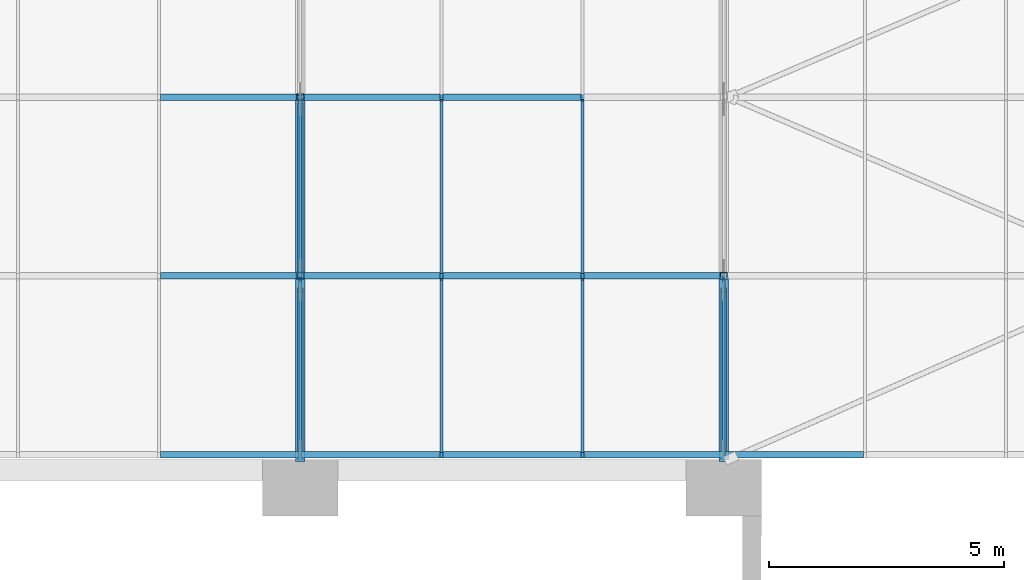
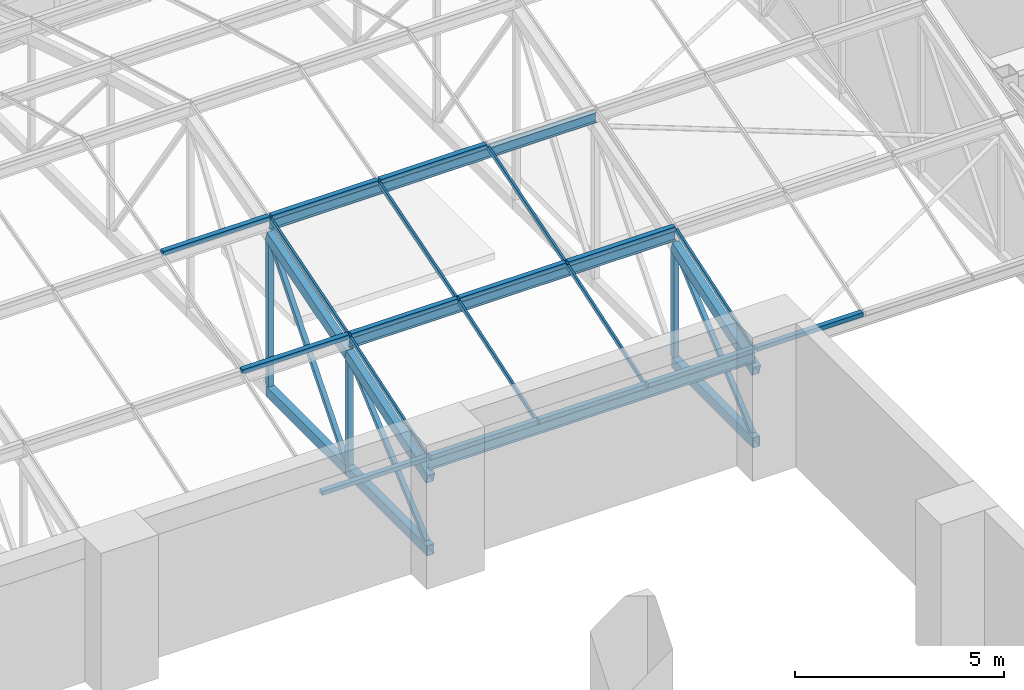
# One storey, part 33 of 82: 34 members, 1 element without a shape of its own.
"""IFC4 building model written with IfcOpenShell, lengths in metres."""

from ifc_helpers import new_model, si_unit, direction, frame, origin, origin_2d, place, context, subcontext, project, spatial, rectangle, hollow_rectangle, i_section, extrude, material, material_profile, profile_set, type_object, element, aggregate, save


model = new_model("IFC4")

# Units and contexts
model_context = context("Model", 3, precision=1e-05, world=origin(), true_north=direction((0.0, 1.0)))
body_context = subcontext(model_context, "Body", "Model", "MODEL_VIEW")
ifc_project = project(units=[si_unit("LENGTHUNIT", "METRE"), si_unit("AREAUNIT", "SQUARE_METRE"), si_unit("VOLUMEUNIT", "CUBIC_METRE"), si_unit("PLANEANGLEUNIT", "RADIAN"), si_unit("MASSUNIT", "GRAM", prefix="KILO")], contexts=[model_context])

# Site, building, storey
site_placement = place(None, origin())
site = spatial("IfcSite", under=ifc_project, at=site_placement, CompositionType="ELEMENT")
building_placement = place(site_placement, origin())
building = spatial("IfcBuilding", under=site, at=building_placement, Name="Aravalli Gate Trade Fair Centre", CompositionType="ELEMENT")
storey_placement = place(building_placement, frame((0.0, 0.0, 19.199951171875)))
storey = spatial("IfcBuildingStorey", under=building, at=storey_placement, Name="L04", CompositionType="ELEMENT", Elevation=19.199951171875)

# Members
ifc_material_1 = material(Name="Steel E350", Category="steel")
ifc_material_profile_1 = material_profile(ifc_material_1, i_section(OverallWidth=0.139892578125, OverallDepth=0.300048828125, WebThickness=0.0078125, FlangeThickness=0.01318359375, at=origin_2d()), Name="ISMB 300")
ifc_profile_set_1 = profile_set([ifc_material_profile_1], Name="Steel E350")
member_type_1 = type_object("IfcMemberType", Name="ISMB 300 roof purlin", PredefinedType="PURLIN", material=ifc_profile_set_1)
for number, where, z_axis, x_axis, name in (
    (1, (141.0, 109.699951171875, 2.60302734375), (1.0, 0.0, 0.0), (0.0, 1.0, 0.0), "Vault purlin 16-17 F0"),
    (2, (141.0, 113.5, 3.851318359375), (1.0, 0.0, 0.0), (0.0, 1.0, 0.0), "Vault purlin 16-17 F1"),
    (3, (141.0, 117.300048828125, 4.999267578125), (1.0, 0.0, 0.0), (0.0, 1.0, 0.0), "Vault purlin 16-17 F2"),
):
    element("IfcMember", number, at=place(storey_placement, frame(where, z_axis=z_axis, x_axis=x_axis)), inside=storey, type_object=member_type_1, Name=name, PredefinedType="PURLIN", context=body_context, shape_type="SweptSolid", body=[
        extrude(i_section(OverallWidth=0.139892578125, OverallDepth=0.300048828125, WebThickness=0.0078125, FlangeThickness=0.01318359375, at=origin_2d()), origin(), (0.0, 0.0, 1.0), 9.0),
    ])
ifc_material_profile_2 = material_profile(ifc_material_1, hollow_rectangle(XDim=0.199951171875, YDim=0.300048828125, WallThickness=0.011962890625, at=origin_2d()), Name="RHS 300x200x12")
ifc_profile_set_2 = profile_set([ifc_material_profile_2], Name="Steel E350")
member_type_2 = type_object("IfcMemberType", Name="RHS 300x200x12 CT1 truss chord", PredefinedType="CHORD", material=ifc_profile_set_2)
member_1_placement = place(storey_placement, frame((141.0, 109.60009765625, 2.2392578125), z_axis=(0.0, 0.949918822061, 0.312496770373), x_axis=(-1.0, 0.0, 0.0)))
element("IfcMember", 4, at=member_1_placement, inside=storey, type_object=member_type_2, Name="Concourse vault truss CT1 line 16 top chord T1", PredefinedType="CHORD", context=body_context, shape_type="SweptSolid", body=[
    extrude(hollow_rectangle(XDim=0.199951171875, YDim=0.300048828125, WallThickness=0.011962890625, at=origin_2d()), origin(), (0.0, 0.0, 1.0), 4.10546875),
])
member_2_placement = place(storey_placement, frame((141.0, 109.60009765625, 0.150146484375), z_axis=(0.0, 1.0, 0.0), x_axis=(-1.0, 0.0, 0.0)))
element("IfcMember", 5, at=member_2_placement, inside=storey, type_object=member_type_2, Name="Concourse vault truss CT1 line 16 bottom chord B1", PredefinedType="CHORD", context=body_context, shape_type="SweptSolid", body=[
    extrude(hollow_rectangle(XDim=0.199951171875, YDim=0.300048828125, WallThickness=0.011962890625, at=origin_2d()), origin(), (0.0, 0.0, 1.0), 3.89990234375),
])
member_3_placement = place(storey_placement, frame((141.0, 113.5, 3.5234375), z_axis=(0.0, 0.957138110877, 0.289631898634), x_axis=(-1.0, 0.0, 0.0)))
element("IfcMember", 6, at=member_3_placement, inside=storey, type_object=member_type_2, Name="Concourse vault truss CT1 line 16 top chord T2", PredefinedType="CHORD", context=body_context, shape_type="SweptSolid", body=[
    extrude(hollow_rectangle(XDim=0.199951171875, YDim=0.300048828125, WallThickness=0.011962890625, at=origin_2d()), origin(), (0.0, 0.0, 1.0), 3.97021484375),
])
member_4_placement = place(storey_placement, frame((141.0, 113.5, 0.150146484375), z_axis=(0.0, 1.0, 0.0), x_axis=(-1.0, 0.0, 0.0)))
element("IfcMember", 7, at=member_4_placement, inside=storey, type_object=member_type_2, Name="Concourse vault truss CT1 line 16 bottom chord B2", PredefinedType="CHORD", context=body_context, shape_type="SweptSolid", body=[
    extrude(hollow_rectangle(XDim=0.199951171875, YDim=0.300048828125, WallThickness=0.011962890625, at=origin_2d()), origin(), (0.0, 0.0, 1.0), 3.800048828125),
])
member_5_placement = place(storey_placement, frame((150.0, 109.60009765625, 2.2392578125), z_axis=(0.0, 0.949918822061, 0.312496770373), x_axis=(-1.0, 0.0, 0.0)))
element("IfcMember", 8, at=member_5_placement, inside=storey, type_object=member_type_2, Name="Concourse vault truss CT1 line 17 top chord T1", PredefinedType="CHORD", context=body_context, shape_type="SweptSolid", body=[
    extrude(hollow_rectangle(XDim=0.199951171875, YDim=0.300048828125, WallThickness=0.011962890625, at=origin_2d()), origin(), (0.0, 0.0, 1.0), 4.10546875),
])
member_6_placement = place(storey_placement, frame((150.0, 109.60009765625, 0.150146484375), z_axis=(0.0, 1.0, 0.0), x_axis=(-1.0, 0.0, 0.0)))
element("IfcMember", 9, at=member_6_placement, inside=storey, type_object=member_type_2, Name="Concourse vault truss CT1 line 17 bottom chord B1", PredefinedType="CHORD", context=body_context, shape_type="SweptSolid", body=[
    extrude(hollow_rectangle(XDim=0.199951171875, YDim=0.300048828125, WallThickness=0.011962890625, at=origin_2d()), origin(), (0.0, 0.0, 1.0), 3.89990234375),
])
ifc_material_profile_3 = material_profile(ifc_material_1, hollow_rectangle(XDim=0.125, YDim=0.125, WallThickness=0.006103515625, at=origin_2d()), Name="SHS 125x125x6")
ifc_profile_set_3 = profile_set([ifc_material_profile_3], Name="Steel E350")
member_type_3 = type_object("IfcMemberType", Name="SHS 125x125x6 CT1 truss diagonal", PredefinedType="BRACE", material=ifc_profile_set_3)
member_7_placement = place(storey_placement, frame((141.0, 109.7734375, 0.300048828125), z_axis=(0.0, 0.756430814482, 0.654073713661), x_axis=(-1.0, 0.0, 0.0)))
element("IfcMember", 10, at=member_7_placement, inside=storey, type_object=member_type_3, Name="Concourse vault truss CT1 line 16 diagonal D1", PredefinedType="BRACE", context=body_context, shape_type="SweptSolid", body=[
    extrude(hollow_rectangle(XDim=0.125, YDim=0.125, WallThickness=0.006103515625, at=origin_2d()), origin(), (0.0, 0.0, 1.0), 4.53662109375),
])
member_8_placement = place(storey_placement, frame((141.0, 113.6259765625, 0.300048828125), z_axis=(0.0, 0.643253159982, 0.765653558845), x_axis=(-1.0, 0.0, 0.0)))
element("IfcMember", 11, at=member_8_placement, inside=storey, type_object=member_type_3, Name="Concourse vault truss CT1 line 16 diagonal D2", PredefinedType="BRACE", context=body_context, shape_type="SweptSolid", body=[
    extrude(hollow_rectangle(XDim=0.125, YDim=0.125, WallThickness=0.006103515625, at=origin_2d()), origin(), (0.0, 0.0, 1.0), 5.437255859375),
])
member_9_placement = place(storey_placement, frame((150.0, 109.7734375, 0.300048828125), z_axis=(0.0, 0.756430814482, 0.654073713661), x_axis=(-1.0, 0.0, 0.0)))
element("IfcMember", 12, at=member_9_placement, inside=storey, type_object=member_type_3, Name="Concourse vault truss CT1 line 17 diagonal D1", PredefinedType="BRACE", context=body_context, shape_type="SweptSolid", body=[
    extrude(hollow_rectangle(XDim=0.125, YDim=0.125, WallThickness=0.006103515625, at=origin_2d()), origin(), (0.0, 0.0, 1.0), 4.53662109375),
])
ifc_material_profile_4 = material_profile(ifc_material_1, hollow_rectangle(XDim=0.14990234375, YDim=0.14990234375, WallThickness=0.006103515625, at=origin_2d()), Name="SHS 150x150x6")
ifc_profile_set_4 = profile_set([ifc_material_profile_4], Name="Steel E350")
member_type_4 = type_object("IfcMemberType", Name="SHS 150x150x6 CT1 truss post", PredefinedType="POST", material=ifc_profile_set_4)
member_10_placement = place(storey_placement, frame((141.0, 113.5, 0.300048828125), z_axis=(0.0, 0.0, 1.0), x_axis=(1.0, 0.0, 0.0)))
element("IfcMember", 13, at=member_10_placement, inside=storey, type_object=member_type_4, Name="Concourse vault truss CT1 line 16 post V1", PredefinedType="POST", context=body_context, shape_type="SweptSolid", body=[
    extrude(hollow_rectangle(XDim=0.14990234375, YDim=0.14990234375, WallThickness=0.006103515625, at=origin_2d()), origin(), (0.0, 0.0, 1.0), 3.064208984375),
])
member_11_placement = place(storey_placement, frame((141.0, 117.300048828125, 0.300048828125), z_axis=(0.0, 0.0, 1.0), x_axis=(1.0, 0.0, 0.0)))
element("IfcMember", 14, at=member_11_placement, inside=storey, type_object=member_type_4, Name="Concourse vault truss CT1 line 16 post V2", PredefinedType="POST", context=body_context, shape_type="SweptSolid", body=[
    extrude(hollow_rectangle(XDim=0.14990234375, YDim=0.14990234375, WallThickness=0.006103515625, at=origin_2d()), origin(), (0.0, 0.0, 1.0), 4.216552734375),
])
member_12_placement = place(storey_placement, frame((150.0, 113.5, 0.300048828125), z_axis=(0.0, 0.0, 1.0), x_axis=(1.0, 0.0, 0.0)))
element("IfcMember", 15, at=member_12_placement, inside=storey, type_object=member_type_4, Name="Concourse vault truss CT1 line 17 post V1", PredefinedType="POST", context=body_context, shape_type="SweptSolid", body=[
    extrude(hollow_rectangle(XDim=0.14990234375, YDim=0.14990234375, WallThickness=0.006103515625, at=origin_2d()), origin(), (0.0, 0.0, 1.0), 3.064208984375),
])
ifc_material_2 = material(Name="Aluminium", Category="aluminium")
ifc_material_profile_5 = material_profile(ifc_material_2, rectangle(XDim=0.139892578125, YDim=0.1201171875, at=origin_2d()), Name="Vault fold cap 140 x 120")
ifc_profile_set_5 = profile_set([ifc_material_profile_5], Name="Aluminium")
member_type_5 = type_object("IfcMemberType", Name="Vault fold cap 140 x 120", PredefinedType="USERDEFINED", material=ifc_profile_set_5)
for number, where, z_axis, x_axis, name in (
    (16, (138.030029296875, 109.699951171875, 2.81298828125), (1.0, 0.0, 0.0), (0.0, 1.0, 0.0), "Vault fold cap e13.0"),
    (17, (138.030029296875, 113.5, 4.061279296875), (1.0, 0.0, 0.0), (0.0, 1.0, 0.0), "Vault fold cap e13.1"),
    (18, (138.030029296875, 117.300048828125, 5.209228515625), (1.0, 0.0, 0.0), (0.0, 1.0, 0.0), "Vault fold cap e13.2"),
    (19, (141.030029296875, 109.699951171875, 2.81298828125), (1.0, 0.0, 0.0), (0.0, 1.0, 0.0), "Vault fold cap e14.0"),
    (20, (141.030029296875, 113.5, 4.061279296875), (1.0, 0.0, 0.0), (0.0, 1.0, 0.0), "Vault fold cap e14.1"),
    (21, (141.030029296875, 117.300048828125, 5.209228515625), (1.0, 0.0, 0.0), (0.0, 1.0, 0.0), "Vault fold cap e14.2"),
    (22, (144.030029296875, 109.699951171875, 2.81298828125), (1.0, 0.0, 0.0), (0.0, 1.0, 0.0), "Vault fold cap e15.0"),
    (23, (144.030029296875, 113.5, 4.061279296875), (1.0, 0.0, 0.0), (0.0, 1.0, 0.0), "Vault fold cap e15.1"),
    (24, (144.030029296875, 117.300048828125, 5.209228515625), (1.0, 0.0, 0.0), (0.0, 1.0, 0.0), "Vault fold cap e15.2"),
    (25, (147.030029296875, 109.699951171875, 2.81298828125), (1.0, 0.0, 0.0), (0.0, 1.0, 0.0), "Vault fold cap e16.0"),
    (26, (147.030029296875, 113.5, 4.061279296875), (1.0, 0.0, 0.0), (0.0, 1.0, 0.0), "Vault fold cap e16.1"),
    (27, (150.030029296875, 109.699951171875, 2.81298828125), (1.0, 0.0, 0.0), (0.0, 1.0, 0.0), "Vault fold cap e17.0"),
):
    element("IfcMember", number, at=place(storey_placement, frame(where, z_axis=z_axis, x_axis=x_axis)), inside=storey, type_object=member_type_5, Name=name, ObjectType="FOLD CAP", PredefinedType="USERDEFINED", context=body_context, shape_type="SweptSolid", body=[
        extrude(rectangle(XDim=0.139892578125, YDim=0.1201171875, at=origin_2d()), origin(), (0.0, 0.0, 1.0), 2.93994140625),
    ])

# Curtain wall, members
ifc_material_3 = material(Name="Aluminium and glass", Category="aluminium")
curtain_wall_type = type_object("IfcCurtainWallType", Name="Vault curtain wall, sloped glazing", PredefinedType="NOTDEFINED", material=ifc_material_3)
curtain_wall_placement = place(storey_placement, origin())
curtain_wall = element("IfcCurtainWall", 28, at=curtain_wall_placement, inside=storey, type_object=curtain_wall_type, Name="Vault curtain wall e", PredefinedType="NOTDEFINED")
ifc_material_profile_6 = material_profile(ifc_material_2, rectangle(XDim=0.06005859375, YDim=0.1201171875, at=origin_2d()), Name="Vault glazing bar 60 x 120")
ifc_profile_set_6 = profile_set([ifc_material_profile_6], Name="Aluminium")
member_type_6 = type_object("IfcMemberType", Name="Vault glazing bar 60 x 120", PredefinedType="USERDEFINED", material=ifc_profile_set_6)
member_13_placement = place(storey_placement, frame((141.0, 109.77001953125, 2.81005859375), z_axis=(0.0, 0.949930492103, 0.31246129388), x_axis=(-1.0, 0.0, 0.0)))
member_13 = element("IfcMember", 29, at=member_13_placement, type_object=member_type_6, Name="Vault glazing bar e14.1", ObjectType="GLAZING BAR", PredefinedType="USERDEFINED", context=body_context, shape_type="SweptSolid", body=[
    extrude(rectangle(XDim=0.06005859375, YDim=0.1201171875, at=origin_2d()), origin(), (0.0, 0.0, 1.0), 3.852783203125),
])
member_14_placement = place(storey_placement, frame((141.0, 113.570068359375, 4.05859375), z_axis=(0.0, 0.957125834694, 0.289672464279), x_axis=(-1.0, 0.0, 0.0)))
member_14 = element("IfcMember", 30, at=member_14_placement, type_object=member_type_6, Name="Vault glazing bar e14.2", ObjectType="GLAZING BAR", PredefinedType="USERDEFINED", context=body_context, shape_type="SweptSolid", body=[
    extrude(rectangle(XDim=0.06005859375, YDim=0.1201171875, at=origin_2d()), origin(), (0.0, 0.0, 1.0), 3.823974609375),
])
member_15_placement = place(storey_placement, frame((144.0, 109.77001953125, 2.81005859375), z_axis=(0.0, 0.949930492103, 0.31246129388), x_axis=(-1.0, 0.0, 0.0)))
member_15 = element("IfcMember", 31, at=member_15_placement, type_object=member_type_6, Name="Vault glazing bar e15.1", ObjectType="GLAZING BAR", PredefinedType="USERDEFINED", context=body_context, shape_type="SweptSolid", body=[
    extrude(rectangle(XDim=0.06005859375, YDim=0.1201171875, at=origin_2d()), origin(), (0.0, 0.0, 1.0), 3.852783203125),
])
member_16_placement = place(storey_placement, frame((144.0, 113.570068359375, 4.05859375), z_axis=(0.0, 0.957125834694, 0.289672464279), x_axis=(-1.0, 0.0, 0.0)))
member_16 = element("IfcMember", 32, at=member_16_placement, type_object=member_type_6, Name="Vault glazing bar e15.2", ObjectType="GLAZING BAR", PredefinedType="USERDEFINED", context=body_context, shape_type="SweptSolid", body=[
    extrude(rectangle(XDim=0.06005859375, YDim=0.1201171875, at=origin_2d()), origin(), (0.0, 0.0, 1.0), 3.823974609375),
])
member_17_placement = place(storey_placement, frame((147.0, 109.77001953125, 2.81005859375), z_axis=(0.0, 0.949930492103, 0.31246129388), x_axis=(-1.0, 0.0, 0.0)))
member_17 = element("IfcMember", 33, at=member_17_placement, type_object=member_type_6, Name="Vault glazing bar e16.1", ObjectType="GLAZING BAR", PredefinedType="USERDEFINED", context=body_context, shape_type="SweptSolid", body=[
    extrude(rectangle(XDim=0.06005859375, YDim=0.1201171875, at=origin_2d()), origin(), (0.0, 0.0, 1.0), 3.852783203125),
])
member_18_placement = place(storey_placement, frame((147.0, 113.570068359375, 4.05859375), z_axis=(0.0, 0.957125834694, 0.289672464279), x_axis=(-1.0, 0.0, 0.0)))
member_18 = element("IfcMember", 34, at=member_18_placement, type_object=member_type_6, Name="Vault glazing bar e16.2", ObjectType="GLAZING BAR", PredefinedType="USERDEFINED", context=body_context, shape_type="SweptSolid", body=[
    extrude(rectangle(XDim=0.06005859375, YDim=0.1201171875, at=origin_2d()), origin(), (0.0, 0.0, 1.0), 3.823974609375),
])
member_19_placement = place(storey_placement, frame((150.0, 109.77001953125, 2.81005859375), z_axis=(0.0, 0.949930492103, 0.31246129388), x_axis=(-1.0, 0.0, 0.0)))
member_19 = element("IfcMember", 35, at=member_19_placement, type_object=member_type_6, Name="Vault glazing bar e17.1", ObjectType="GLAZING BAR", PredefinedType="USERDEFINED", context=body_context, shape_type="SweptSolid", body=[
    extrude(rectangle(XDim=0.06005859375, YDim=0.1201171875, at=origin_2d()), origin(), (0.0, 0.0, 1.0), 3.852783203125),
])
aggregate(curtain_wall, [member_13, member_14, member_15, member_16, member_17, member_18, member_19])

save(model, "model.ifc")
